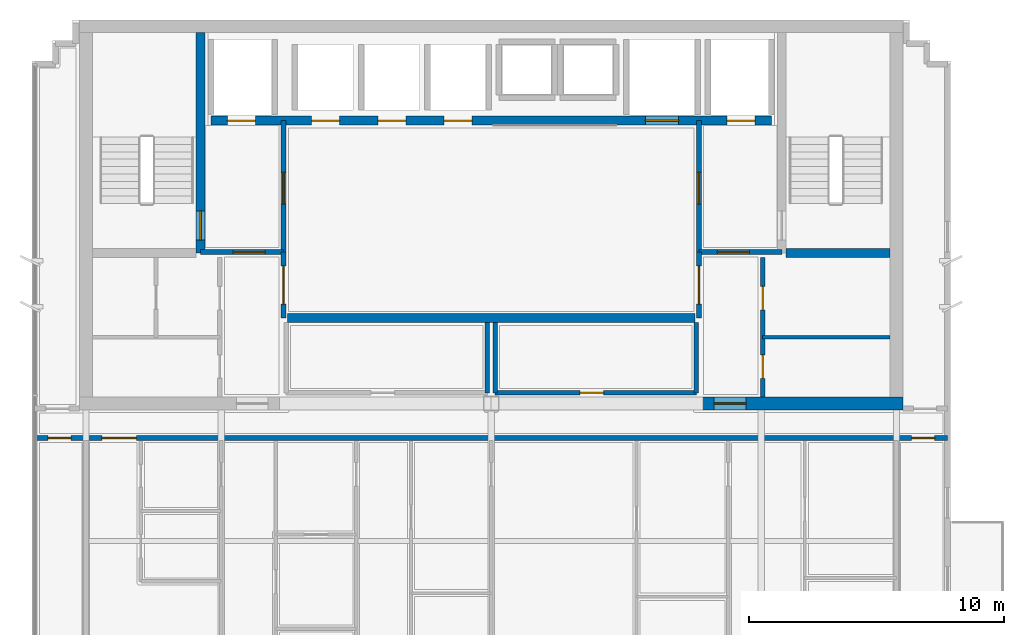
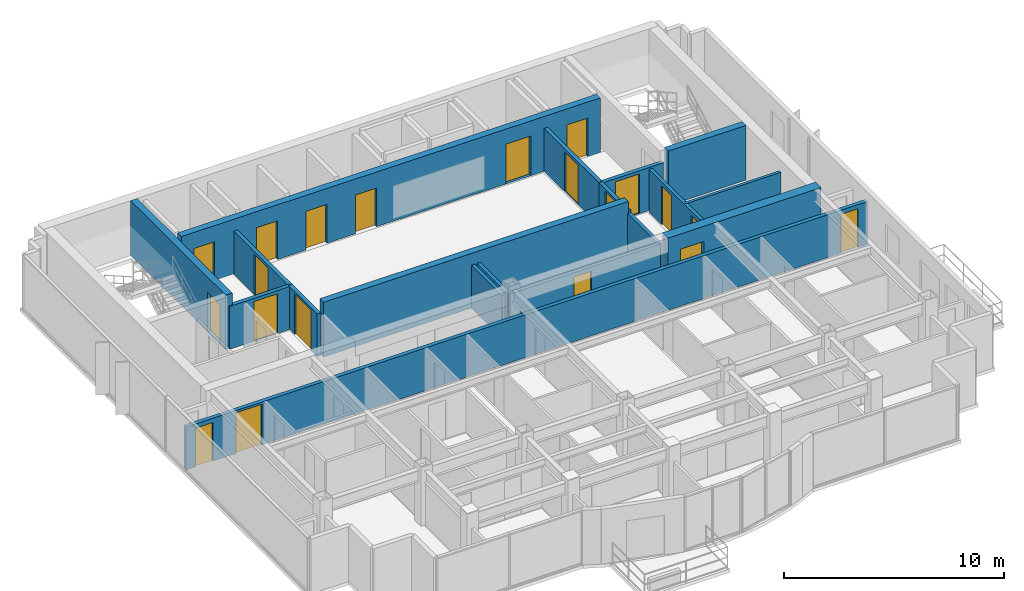
# One storey, part 7 of 11: 20 doors, 18 walls, 20 openings.
"""IFC4 building model written with IfcOpenShell, lengths in metres."""

from ifc_helpers import new_model, si_unit, direction, frame, frame_2d, origin, place, context, subcontext, project, spatial, rectangle, extrude, material, layer, layer_set, type_object, element, fill, save


model = new_model("IFC4")

# Units and contexts
model_context = context("Model", 3, precision=1e-05, world=origin(), true_north=direction((0.0, 1.0)))
body_context = subcontext(model_context, "Body", "Model", "MODEL_VIEW")
ifc_project = project(units=[si_unit("LENGTHUNIT", "METRE"), si_unit("AREAUNIT", "SQUARE_METRE"), si_unit("VOLUMEUNIT", "CUBIC_METRE"), si_unit("PLANEANGLEUNIT", "RADIAN"), si_unit("MASSUNIT", "GRAM", prefix="KILO")], contexts=[model_context])

# Site, building, storey
site_placement = place(None, origin())
site = spatial("IfcSite", under=ifc_project, at=site_placement, CompositionType="ELEMENT")
building_placement = place(site_placement, origin())
building = spatial("IfcBuilding", under=site, at=building_placement, Name="Qianlan Lanfeng Residences", CompositionType="ELEMENT")
storey_placement = place(building_placement, frame((0.0, 0.0, 262.699951171875)))
storey = spatial("IfcBuildingStorey", under=building, at=storey_placement, Name="L73", CompositionType="ELEMENT", Elevation=262.699951171875)

# Wall, opening, door
ifc_material_1 = material(Name="Concrete C49", Category="concrete")
ifc_layer_1 = layer(ifc_material_1, 0.35009765625)
ifc_layer_set_1 = layer_set([ifc_layer_1], Name="Concrete C49")
wall_type_1 = type_object("IfcWallType", Name="CW-RC-350", PredefinedType="SHEAR", material=ifc_layer_set_1)
wall_1_placement = place(storey_placement, frame((15.10009765625, 31.10009765625, 0.0), z_axis=(0.0, 0.0, 1.0), x_axis=(0.0, 1.0, 0.0)))
wall_1 = element("IfcWall", 1, at=wall_1_placement, inside=storey, type_object=wall_type_1, Name="L73 Core Shear Wall ST1E", PredefinedType="SHEAR", context=body_context, shape_type="SweptSolid", body=[
    extrude(rectangle(XDim=8.64990234375, YDim=0.35009765625, at=frame_2d((4.324951171875, 0.0))), origin(), (0.0, 0.0, 1.0), 3.0400390625),
])
opening_1_placement = place(wall_1_placement, frame((0.510009765625, 0.0, 0.0)))
opening_1 = element("IfcOpeningElement", 2, at=opening_1_placement, cuts=wall_1, Name="Opening L73-D07", PredefinedType="OPENING", context=body_context, shape_type="SweptSolid", body=[
    extrude(rectangle(XDim=1.14990234375, YDim=2.199951171875, at=frame_2d((0.574951171875, 1.10009765625))), frame((0.0, 0.18505859375, 0.0), z_axis=(0.0, -1.0, 0.0), x_axis=(1.0, 0.0, 0.0)), (0.0, 0.0, 1.0), 0.3701171875),
])
ifc_material_2 = material(Name="Painted Galvanised Steel Fire Door", Category="steel")
door_type_1 = type_object("IfcDoorType", Name="DT-ST1", OperationType="NOTDEFINED", PredefinedType="DOOR", material=ifc_material_2)
door_1_placement = place(opening_1_placement, frame((1.14990234375, 0.0, 0.0), z_axis=(0.0, 0.0, 1.0), x_axis=(-1.0, 0.0, 0.0)))
door_1 = element("IfcDoor", 3, at=door_1_placement, inside=storey, type_object=door_type_1, Name="L73 Exit Stair ST-1 Door L73-D07 (DT-ST1)", OperationType="SINGLE_SWING_RIGHT", OverallHeight=2.199951171875, OverallWidth=1.14990234375, PredefinedType="DOOR", context=body_context, shape_type="SweptSolid", body=[
    extrude(rectangle(XDim=1.14990234375, YDim=2.199951171875, at=frame_2d((0.574951171875, 1.10009765625))), frame((0.0, 0.02490234375, 0.0), z_axis=(0.0, -1.0, 0.0), x_axis=(1.0, 0.0, 0.0)), (0.0, 0.0, 1.0), 0.050048828125),
])
fill(opening_1, door_1)

# Wall
wall_2_placement = place(storey_placement, frame((38.074951171875, 31.10009765625, 0.0), z_axis=(0.0, 0.0, 1.0), x_axis=(1.0, 0.0, 0.0)))
element("IfcWall", 4, at=wall_2_placement, inside=storey, type_object=wall_type_1, Name="L73 Core Shear Wall ST2S", PredefinedType="SHEAR", context=body_context, shape_type="SweptSolid", body=[
    extrude(rectangle(XDim=4.074951171875, YDim=0.35009765625, at=frame_2d((2.03759765625, 0.0))), origin(), (0.0, 0.0, 1.0), 3.0400390625),
])

# Wall, openings, doors
wall_3_placement = place(storey_placement, frame((15.5, 36.300048828125, 0.0), z_axis=(0.0, 0.0, 1.0), x_axis=(1.0, 0.0, 0.0)))
wall_3 = element("IfcWall", 5, at=wall_3_placement, inside=storey, type_object=wall_type_1, Name="L73 Core Shear Wall LBN", PredefinedType="SHEAR", context=body_context, shape_type="SweptSolid", body=[
    extrude(rectangle(XDim=22.0, YDim=0.35009765625, at=frame_2d((11.0, 0.0))), origin(), (0.0, 0.0, 1.0), 3.0400390625),
])
opening_2_placement = place(wall_3_placement, frame((0.64990234375, 0.0, 0.0)))
opening_2 = element("IfcOpeningElement", 6, at=opening_2_placement, cuts=wall_3, Name="Opening L73-LD-FFL-1", PredefinedType="OPENING", context=body_context, shape_type="SweptSolid", body=[
    extrude(rectangle(XDim=1.10009765625, YDim=2.14990234375, at=frame_2d((0.550048828125, 1.074951171875))), frame((0.0, 0.18505859375, 0.0), z_axis=(0.0, -1.0, 0.0), x_axis=(1.0, 0.0, 0.0)), (0.0, 0.0, 1.0), 0.3701171875),
])
opening_3_placement = place(wall_3_placement, frame((20.25, 0.0, 0.0)))
opening_3 = element("IfcOpeningElement", 7, at=opening_3_placement, cuts=wall_3, Name="Opening L73-LD-FFL-2", PredefinedType="OPENING", context=body_context, shape_type="SweptSolid", body=[
    extrude(rectangle(XDim=1.10009765625, YDim=2.14990234375, at=frame_2d((0.550048828125, 1.074951171875))), frame((0.0, 0.18505859375, 0.0), z_axis=(0.0, -1.0, 0.0), x_axis=(1.0, 0.0, 0.0)), (0.0, 0.0, 1.0), 0.3701171875),
])
opening_4_placement = place(wall_3_placement, frame((17.050048828125, 0.0, 0.0)))
opening_4 = element("IfcOpeningElement", 8, at=opening_4_placement, cuts=wall_3, Name="Opening L73-LD-SVL-1", PredefinedType="OPENING", context=body_context, shape_type="SweptSolid", body=[
    extrude(rectangle(XDim=1.300048828125, YDim=2.199951171875, at=frame_2d((0.64990234375, 1.10009765625))), frame((0.0, 0.18505859375, 0.0), z_axis=(0.0, -1.0, 0.0), x_axis=(1.0, 0.0, 0.0)), (0.0, 0.0, 1.0), 0.3701171875),
])
opening_5_placement = place(wall_3_placement, frame((3.949951171875, 0.0, 0.0)))
opening_5 = element("IfcOpeningElement", 9, at=opening_5_placement, cuts=wall_3, Name="Opening L73-LD-PL-H1", PredefinedType="OPENING", context=body_context, shape_type="SweptSolid", body=[
    extrude(rectangle(XDim=1.10009765625, YDim=2.14990234375, at=frame_2d((0.550048828125, 1.074951171875))), frame((0.0, 0.18505859375, 0.0), z_axis=(0.0, -1.0, 0.0), x_axis=(1.0, 0.0, 0.0)), (0.0, 0.0, 1.0), 0.3701171875),
])
opening_6_placement = place(wall_3_placement, frame((6.550048828125, 0.0, 0.0)))
opening_6 = element("IfcOpeningElement", 10, at=opening_6_placement, cuts=wall_3, Name="Opening L73-LD-PL-H2", PredefinedType="OPENING", context=body_context, shape_type="SweptSolid", body=[
    extrude(rectangle(XDim=1.10009765625, YDim=2.14990234375, at=frame_2d((0.550048828125, 1.074951171875))), frame((0.0, 0.18505859375, 0.0), z_axis=(0.0, -1.0, 0.0), x_axis=(1.0, 0.0, 0.0)), (0.0, 0.0, 1.0), 0.3701171875),
])
opening_7_placement = place(wall_3_placement, frame((9.14990234375, 0.0, 0.0)))
opening_7 = element("IfcOpeningElement", 11, at=opening_7_placement, cuts=wall_3, Name="Opening L73-LD-PL-H3", PredefinedType="OPENING", context=body_context, shape_type="SweptSolid", body=[
    extrude(rectangle(XDim=1.10009765625, YDim=2.14990234375, at=frame_2d((0.550048828125, 1.074951171875))), frame((0.0, 0.18505859375, 0.0), z_axis=(0.0, -1.0, 0.0), x_axis=(1.0, 0.0, 0.0)), (0.0, 0.0, 1.0), 0.3701171875),
])
ifc_material_3 = material(Name="Brushed Stainless Steel Sliding Lift Door", Category="steel")
door_type_2 = type_object("IfcDoorType", Name="LD-01", OperationType="NOTDEFINED", PredefinedType="DOOR", material=ifc_material_3)
door_2_placement = place(opening_2_placement, frame((1.10009765625, 0.0, 0.0), z_axis=(0.0, 0.0, 1.0), x_axis=(-1.0, 0.0, 0.0)))
door_2 = element("IfcDoor", 12, at=door_2_placement, inside=storey, type_object=door_type_2, Name="L73 Elevator FFL-1 Sliding Landing Door", OperationType="DOUBLE_DOOR_SLIDING", OverallHeight=2.14990234375, OverallWidth=1.10009765625, PredefinedType="DOOR", context=body_context, shape_type="SweptSolid", body=[
    extrude(rectangle(XDim=1.10009765625, YDim=2.14990234375, at=frame_2d((0.550048828125, 1.074951171875))), frame((0.0, 0.02490234375, 0.0), z_axis=(0.0, -1.0, 0.0), x_axis=(1.0, 0.0, 0.0)), (0.0, 0.0, 1.0), 0.050048828125),
])
fill(opening_2, door_2)
door_3_placement = place(opening_3_placement, frame((1.10009765625, 0.0, 0.0), z_axis=(0.0, 0.0, 1.0), x_axis=(-1.0, 0.0, 0.0)))
door_3 = element("IfcDoor", 13, at=door_3_placement, inside=storey, type_object=door_type_2, Name="L73 Elevator FFL-2 Sliding Landing Door", OperationType="DOUBLE_DOOR_SLIDING", OverallHeight=2.14990234375, OverallWidth=1.10009765625, PredefinedType="DOOR", context=body_context, shape_type="SweptSolid", body=[
    extrude(rectangle(XDim=1.10009765625, YDim=2.14990234375, at=frame_2d((0.550048828125, 1.074951171875))), frame((0.0, 0.02490234375, 0.0), z_axis=(0.0, -1.0, 0.0), x_axis=(1.0, 0.0, 0.0)), (0.0, 0.0, 1.0), 0.050048828125),
])
fill(opening_3, door_3)
door_4_placement = place(opening_5_placement, frame((1.10009765625, 0.0, 0.0), z_axis=(0.0, 0.0, 1.0), x_axis=(-1.0, 0.0, 0.0)))
door_4 = element("IfcDoor", 14, at=door_4_placement, inside=storey, type_object=door_type_2, Name="L73 Elevator PL-H1 Sliding Landing Door", OperationType="DOUBLE_DOOR_SLIDING", OverallHeight=2.14990234375, OverallWidth=1.10009765625, PredefinedType="DOOR", context=body_context, shape_type="SweptSolid", body=[
    extrude(rectangle(XDim=1.10009765625, YDim=2.14990234375, at=frame_2d((0.550048828125, 1.074951171875))), frame((0.0, 0.02490234375, 0.0), z_axis=(0.0, -1.0, 0.0), x_axis=(1.0, 0.0, 0.0)), (0.0, 0.0, 1.0), 0.050048828125),
])
fill(opening_5, door_4)
door_5_placement = place(opening_6_placement, frame((1.10009765625, 0.0, 0.0), z_axis=(0.0, 0.0, 1.0), x_axis=(-1.0, 0.0, 0.0)))
door_5 = element("IfcDoor", 15, at=door_5_placement, inside=storey, type_object=door_type_2, Name="L73 Elevator PL-H2 Sliding Landing Door", OperationType="DOUBLE_DOOR_SLIDING", OverallHeight=2.14990234375, OverallWidth=1.10009765625, PredefinedType="DOOR", context=body_context, shape_type="SweptSolid", body=[
    extrude(rectangle(XDim=1.10009765625, YDim=2.14990234375, at=frame_2d((0.550048828125, 1.074951171875))), frame((0.0, 0.02490234375, 0.0), z_axis=(0.0, -1.0, 0.0), x_axis=(1.0, 0.0, 0.0)), (0.0, 0.0, 1.0), 0.050048828125),
])
fill(opening_6, door_5)
door_6_placement = place(opening_7_placement, frame((1.10009765625, 0.0, 0.0), z_axis=(0.0, 0.0, 1.0), x_axis=(-1.0, 0.0, 0.0)))
door_6 = element("IfcDoor", 16, at=door_6_placement, inside=storey, type_object=door_type_2, Name="L73 Elevator PL-H3 Sliding Landing Door", OperationType="DOUBLE_DOOR_SLIDING", OverallHeight=2.14990234375, OverallWidth=1.10009765625, PredefinedType="DOOR", context=body_context, shape_type="SweptSolid", body=[
    extrude(rectangle(XDim=1.10009765625, YDim=2.14990234375, at=frame_2d((0.550048828125, 1.074951171875))), frame((0.0, 0.02490234375, 0.0), z_axis=(0.0, -1.0, 0.0), x_axis=(1.0, 0.0, 0.0)), (0.0, 0.0, 1.0), 0.050048828125),
])
fill(opening_7, door_6)
door_type_3 = type_object("IfcDoorType", Name="LD-02", OperationType="NOTDEFINED", PredefinedType="DOOR", material=ifc_material_3)
door_7_placement = place(opening_4_placement, frame((1.300048828125, 0.0, 0.0), z_axis=(0.0, 0.0, 1.0), x_axis=(-1.0, 0.0, 0.0)))
door_7 = element("IfcDoor", 17, at=door_7_placement, inside=storey, type_object=door_type_3, Name="L73 Elevator SVL-1 Sliding Landing Door", OperationType="DOUBLE_DOOR_SLIDING", OverallHeight=2.199951171875, OverallWidth=1.300048828125, PredefinedType="DOOR", context=body_context, shape_type="SweptSolid", body=[
    extrude(rectangle(XDim=1.300048828125, YDim=2.199951171875, at=frame_2d((0.64990234375, 1.10009765625))), frame((0.0, 0.02490234375, 0.0), z_axis=(0.0, -1.0, 0.0), x_axis=(1.0, 0.0, 0.0)), (0.0, 0.0, 1.0), 0.050048828125),
])
fill(opening_4, door_7)

# Wall
wall_4_placement = place(storey_placement, frame((18.5, 28.550048828125, 0.0), z_axis=(0.0, 0.0, 1.0), x_axis=(1.0, 0.0, 0.0)))
element("IfcWall", 18, at=wall_4_placement, inside=storey, type_object=wall_type_1, Name="L73 Core Shear Wall LBS", PredefinedType="SHEAR", context=body_context, shape_type="SweptSolid", body=[
    extrude(rectangle(XDim=16.0, YDim=0.35009765625, at=frame_2d((8.0, 0.0))), origin(), (0.0, 0.0, 1.0), 3.0400390625),
])

# Wall, opening, door
ifc_material_4 = material(Name="Concrete C70", Category="concrete")
ifc_layer_2 = layer(ifc_material_4, 0.5)
ifc_layer_set_2 = layer_set([ifc_layer_2], Name="Concrete C70")
wall_type_2 = type_object("IfcWallType", Name="CW-RC-500", PredefinedType="SHEAR", material=ifc_layer_set_2)
wall_5_placement = place(storey_placement, frame((34.60009765625, 25.199951171875, 0.0), z_axis=(0.0, 0.0, 1.0), x_axis=(1.0, 0.0, 0.0)))
wall_5 = element("IfcWall", 19, at=wall_5_placement, inside=storey, type_object=wall_type_2, Name="L73 Core Shear Wall SE", PredefinedType="SHEAR", context=body_context, shape_type="SweptSolid", body=[
    extrude(rectangle(XDim=8.0498046875, YDim=0.5, at=frame_2d((4.02490234375, 0.0))), origin(), (0.0, 0.0, 1.0), 3.0400390625),
])
opening_8_placement = place(wall_5_placement, frame((0.64990234375, 0.0, 0.0)))
opening_8 = element("IfcOpeningElement", 20, at=opening_8_placement, cuts=wall_5, Name="Opening L73-D02", PredefinedType="OPENING", context=body_context, shape_type="SweptSolid", body=[
    extrude(rectangle(XDim=1.25, YDim=2.199951171875, at=frame_2d((0.625, 1.10009765625))), frame((0.0, 0.260009765625, 0.0), z_axis=(0.0, -1.0, 0.0), x_axis=(1.0, 0.0, 0.0)), (0.0, 0.0, 1.0), 0.52001953125),
])
door_type_4 = type_object("IfcDoorType", Name="DT-FFL", OperationType="NOTDEFINED", PredefinedType="DOOR", material=ifc_material_2)
door_8_placement = place(opening_8_placement, frame((1.25, 0.0, 0.0), z_axis=(0.0, 0.0, 1.0), x_axis=(-1.0, 0.0, 0.0)))
door_8 = element("IfcDoor", 21, at=door_8_placement, inside=storey, type_object=door_type_4, Name="L73 East Core Lobby Smoke Door L73-D02 (DT-FFL)", OperationType="SINGLE_SWING_LEFT", OverallHeight=2.199951171875, OverallWidth=1.25, PredefinedType="DOOR", context=body_context, shape_type="SweptSolid", body=[
    extrude(rectangle(XDim=1.25, YDim=2.199951171875, at=frame_2d((0.625, 1.10009765625))), frame((0.0, 0.02490234375, 0.0), z_axis=(0.0, -1.0, 0.0), x_axis=(1.0, 0.0, 0.0)), (0.0, 0.0, 1.0), 0.050048828125),
])
fill(opening_8, door_8)

# Wall
ifc_material_5 = material(Name="Acoustic Drywall Partition 150 mm")
ifc_layer_3 = layer(ifc_material_5, 0.14990234375)
ifc_layer_set_3 = layer_set([ifc_layer_3], Name="Acoustic Drywall Partition 150 mm")
wall_type_3 = type_object("IfcWallType", Name="PW-150", PredefinedType="PARTITIONING", material=ifc_layer_set_3)
wall_6_placement = place(storey_placement, frame((37.14990234375, 27.800048828125, 0.0), z_axis=(0.0, 0.0, 1.0), x_axis=(1.0, 0.0, 0.0)))
element("IfcWall", 22, at=wall_6_placement, inside=storey, type_object=wall_type_3, Name="L73 Core East H4", PredefinedType="PARTITIONING", context=body_context, shape_type="SweptSolid", body=[
    extrude(rectangle(XDim=5.0, YDim=0.14990234375, at=frame_2d((2.5, 0.0))), origin(), (0.0, 0.0, 1.0), 2.380126953125),
])

# Wall, openings, doors
ifc_material_6 = material(Name="Double-Layer Acoustic Gypsum Stud Wall 180 mm")
ifc_layer_4 = layer(ifc_material_6, 0.179931640625)
ifc_layer_set_4 = layer_set([ifc_layer_4], Name="Double-Layer Acoustic Gypsum Stud Wall 180 mm")
wall_type_4 = type_object("IfcWallType", Name="PW-180", PredefinedType="PARTITIONING", material=ifc_layer_set_4)
wall_7_placement = place(storey_placement, frame((37.14990234375, 25.449951171875, 0.0), z_axis=(0.0, 0.0, 1.0), x_axis=(0.0, 1.0, 0.0)))
wall_7 = element("IfcWall", 23, at=wall_7_placement, inside=storey, type_object=wall_type_4, Name="L73 Core East Service Room Wall", PredefinedType="PARTITIONING", context=body_context, shape_type="SweptSolid", body=[
    extrude(rectangle(XDim=5.47509765625, YDim=0.179931640625, at=frame_2d((2.737548828125, 0.0))), origin(), (0.0, 0.0, 1.0), 2.380126953125),
])
opening_9_placement = place(wall_7_placement, frame((0.739990234375, 0.0, 0.0)))
opening_9 = element("IfcOpeningElement", 24, at=opening_9_placement, cuts=wall_7, Name="Opening L73-D12", PredefinedType="OPENING", context=body_context, shape_type="SweptSolid", body=[
    extrude(rectangle(XDim=0.919921875, YDim=2.14990234375, at=frame_2d((0.4599609375, 1.074951171875))), frame((0.0, 0.10009765625, 0.0), z_axis=(0.0, -1.0, 0.0), x_axis=(1.0, 0.0, 0.0)), (0.0, 0.0, 1.0), 0.199951171875),
])
opening_10_placement = place(wall_7_placement, frame((3.427001953125, 0.0, 0.0)))
opening_10 = element("IfcOpeningElement", 25, at=opening_10_placement, cuts=wall_7, Name="Opening L73-D13", PredefinedType="OPENING", context=body_context, shape_type="SweptSolid", body=[
    extrude(rectangle(XDim=0.919921875, YDim=2.14990234375, at=frame_2d((0.4599609375, 1.074951171875))), frame((0.0, 0.10009765625, 0.0), z_axis=(0.0, -1.0, 0.0), x_axis=(1.0, 0.0, 0.0)), (0.0, 0.0, 1.0), 0.199951171875),
])
ifc_material_7 = material(Name="Glazed Timber Kitchen/Study Door", Category="wood")
door_type_5 = type_object("IfcDoorType", Name="DT-INT", OperationType="NOTDEFINED", PredefinedType="DOOR", material=ifc_material_7)
door_9_placement = place(opening_9_placement, origin())
door_9 = element("IfcDoor", 26, at=door_9_placement, inside=storey, type_object=door_type_5, Name="L73 Mail Closet Door L73-D12 (DT-INT)", OperationType="SINGLE_SWING_LEFT", OverallHeight=2.14990234375, OverallWidth=0.919921875, PredefinedType="DOOR", context=body_context, shape_type="SweptSolid", body=[
    extrude(rectangle(XDim=0.919921875, YDim=2.14990234375, at=frame_2d((0.4599609375, 1.074951171875))), frame((0.0, 0.02490234375, 0.0), z_axis=(0.0, -1.0, 0.0), x_axis=(1.0, 0.0, 0.0)), (0.0, 0.0, 1.0), 0.050048828125),
])
fill(opening_9, door_9)
door_10_placement = place(opening_10_placement, origin())
door_10 = element("IfcDoor", 27, at=door_10_placement, inside=storey, type_object=door_type_5, Name="L73 Refuse Closet Door L73-D13 (DT-INT)", OperationType="SINGLE_SWING_LEFT", OverallHeight=2.14990234375, OverallWidth=0.919921875, PredefinedType="DOOR", context=body_context, shape_type="SweptSolid", body=[
    extrude(rectangle(XDim=0.919921875, YDim=2.14990234375, at=frame_2d((0.4599609375, 1.074951171875))), frame((0.0, 0.02490234375, 0.0), z_axis=(0.0, -1.0, 0.0), x_axis=(1.0, 0.0, 0.0)), (0.0, 0.0, 1.0), 0.050048828125),
])
fill(opening_10, door_10)

# Walls
for number, where, z_axis, x_axis, name in (
    (28, (26.35009765625, 25.6201171875, 0.0), (0.0, 0.0, 1.0), (0.0, 1.0, 0.0), "L73 Reclaimed Low-Bank Room East Wall"),
    (29, (26.64990234375, 25.6201171875, 0.0), (0.0, 0.0, 1.0), (0.0, 1.0, 0.0), "L73 Reclaimed Mid-Bank Room West Wall"),
    (30, (34.550048828125, 25.6201171875, 0.0), (0.0, 0.0, 1.0), (0.0, 1.0, 0.0), "L73 Reclaimed Mid-Bank Room East Wall"),
):
    element("IfcWall", number, at=place(storey_placement, frame(where, z_axis=z_axis, x_axis=x_axis)), inside=storey, type_object=wall_type_4, Name=name, PredefinedType="PARTITIONING", context=body_context, shape_type="SweptSolid", body=[
        extrude(rectangle(XDim=2.7548828125, YDim=0.179931640625, at=frame_2d((1.37744140625, 0.0))), origin(), (0.0, 0.0, 1.0), 2.380126953125),
    ])

# Wall, opening, door
wall_8_placement = place(storey_placement, frame((26.64990234375, 25.6201171875, 0.0), z_axis=(0.0, 0.0, 1.0), x_axis=(1.0, 0.0, 0.0)))
wall_8 = element("IfcWall", 31, at=wall_8_placement, inside=storey, type_object=wall_type_4, Name="L73 Reclaimed Mid-Bank Room South Wall", PredefinedType="PARTITIONING", context=body_context, shape_type="SweptSolid", body=[
    extrude(rectangle(XDim=7.900146484375, YDim=0.179931640625, at=frame_2d((3.9501953125, 0.0))), origin(), (0.0, 0.0, 1.0), 2.380126953125),
])
opening_11_placement = place(wall_8_placement, frame((3.340087890625, 0.0, 0.0)))
opening_11 = element("IfcOpeningElement", 32, at=opening_11_placement, cuts=wall_8, Name="Opening L73-D17", PredefinedType="OPENING", context=body_context, shape_type="SweptSolid", body=[
    extrude(rectangle(XDim=0.919921875, YDim=2.14990234375, at=frame_2d((0.4599609375, 1.074951171875))), frame((0.0, 0.10009765625, 0.0), z_axis=(0.0, -1.0, 0.0), x_axis=(1.0, 0.0, 0.0)), (0.0, 0.0, 1.0), 0.199951171875),
])
door_11_placement = place(opening_11_placement, origin())
door_11 = element("IfcDoor", 33, at=door_11_placement, inside=storey, type_object=door_type_5, Name="L73 Reclaimed Mid-Bank Salon Door L73-D17 (DT-INT)", OperationType="SINGLE_SWING_LEFT", OverallHeight=2.14990234375, OverallWidth=0.919921875, PredefinedType="DOOR", context=body_context, shape_type="SweptSolid", body=[
    extrude(rectangle(XDim=0.919921875, YDim=2.14990234375, at=frame_2d((0.4599609375, 1.074951171875))), frame((0.0, 0.02490234375, 0.0), z_axis=(0.0, -1.0, 0.0), x_axis=(1.0, 0.0, 0.0)), (0.0, 0.0, 1.0), 0.050048828125),
])
fill(opening_11, door_11)

ifc_material_8 = material(Name="Autoclaved Aerated Concrete Blockwork 200 mm", Category="masonry")
ifc_layer_5 = layer(ifc_material_8, 0.199951171875)
ifc_layer_set_5 = layer_set([ifc_layer_5], Name="Autoclaved Aerated Concrete Blockwork 200 mm")
wall_type_5 = type_object("IfcWallType", Name="PW-200", PredefinedType="PARTITIONING", material=ifc_layer_set_5)
wall_9_placement = place(storey_placement, frame((15.10009765625, 31.14990234375, 0.0), z_axis=(0.0, 0.0, 1.0), x_axis=(1.0, 0.0, 0.0)))
wall_9 = element("IfcWall", 34, at=wall_9_placement, inside=storey, type_object=wall_type_5, Name="L73 Firefighting Lobby 1 South Wall", PredefinedType="PARTITIONING", context=body_context, shape_type="SweptSolid", body=[
    extrude(rectangle(XDim=3.25, YDim=0.199951171875, at=frame_2d((1.625, 0.0))), origin(), (0.0, 0.0, 1.0), 2.380126953125),
])
opening_12_placement = place(wall_9_placement, frame((1.27490234375, 0.0, 0.0)))
opening_12 = element("IfcOpeningElement", 35, at=opening_12_placement, cuts=wall_9, Name="Opening L73-D03", PredefinedType="OPENING", context=body_context, shape_type="SweptSolid", body=[
    extrude(rectangle(XDim=1.25, YDim=2.199951171875, at=frame_2d((0.625, 1.10009765625))), frame((0.0, 0.10986328125, 0.0), z_axis=(0.0, -1.0, 0.0), x_axis=(1.0, 0.0, 0.0)), (0.0, 0.0, 1.0), 0.219970703125),
])
door_12_placement = place(opening_12_placement, origin())
door_12 = element("IfcDoor", 36, at=door_12_placement, inside=storey, type_object=door_type_4, Name="L73 Firefighting Lobby 1 Entry Door L73-D03 (DT-FFL)", OperationType="SINGLE_SWING_LEFT", OverallHeight=2.199951171875, OverallWidth=1.25, PredefinedType="DOOR", context=body_context, shape_type="SweptSolid", body=[
    extrude(rectangle(XDim=1.25, YDim=2.199951171875, at=frame_2d((0.625, 1.10009765625))), frame((0.0, 0.02490234375, 0.0), z_axis=(0.0, -1.0, 0.0), x_axis=(1.0, 0.0, 0.0)), (0.0, 0.0, 1.0), 0.050048828125),
])
fill(opening_12, door_12)

wall_10_placement = place(storey_placement, frame((18.35009765625, 31.14990234375, 0.0), z_axis=(0.0, 0.0, 1.0), x_axis=(0.0, 1.0, 0.0)))
wall_10 = element("IfcWall", 37, at=wall_10_placement, inside=storey, type_object=wall_type_5, Name="L73 Firefighting Lobby 1 East Wall", PredefinedType="PARTITIONING", context=body_context, shape_type="SweptSolid", body=[
    extrude(rectangle(XDim=5.150146484375, YDim=0.199951171875, at=frame_2d((2.5751953125, 0.0))), origin(), (0.0, 0.0, 1.0), 2.380126953125),
])
opening_13_placement = place(wall_10_placement, frame((1.875, 0.0, 0.0)))
opening_13 = element("IfcOpeningElement", 38, at=opening_13_placement, cuts=wall_10, Name="Opening L73-D04", PredefinedType="OPENING", context=body_context, shape_type="SweptSolid", body=[
    extrude(rectangle(XDim=1.25, YDim=2.199951171875, at=frame_2d((0.625, 1.10009765625))), frame((0.0, 0.10986328125, 0.0), z_axis=(0.0, -1.0, 0.0), x_axis=(1.0, 0.0, 0.0)), (0.0, 0.0, 1.0), 0.219970703125),
])
door_13_placement = place(opening_13_placement, origin())
door_13 = element("IfcDoor", 39, at=door_13_placement, inside=storey, type_object=door_type_4, Name="L73 Firefighting Lobby 1 Lift Lobby Door L73-D04 (DT-FFL)", OperationType="SINGLE_SWING_RIGHT", OverallHeight=2.199951171875, OverallWidth=1.25, PredefinedType="DOOR", context=body_context, shape_type="SweptSolid", body=[
    extrude(rectangle(XDim=1.25, YDim=2.199951171875, at=frame_2d((0.625, 1.10009765625))), frame((0.0, 0.02490234375, 0.0), z_axis=(0.0, -1.0, 0.0), x_axis=(1.0, 0.0, 0.0)), (0.0, 0.0, 1.0), 0.050048828125),
])
fill(opening_13, door_13)

wall_11_placement = place(storey_placement, frame((34.64990234375, 31.14990234375, 0.0), z_axis=(0.0, 0.0, 1.0), x_axis=(1.0, 0.0, 0.0)))
wall_11 = element("IfcWall", 40, at=wall_11_placement, inside=storey, type_object=wall_type_5, Name="L73 Firefighting Lobby 2 South Wall", PredefinedType="PARTITIONING", context=body_context, shape_type="SweptSolid", body=[
    extrude(rectangle(XDim=3.25, YDim=0.199951171875, at=frame_2d((1.625, 0.0))), origin(), (0.0, 0.0, 1.0), 2.380126953125),
])
opening_14_placement = place(wall_11_placement, frame((0.72509765625, 0.0, 0.0)))
opening_14 = element("IfcOpeningElement", 41, at=opening_14_placement, cuts=wall_11, Name="Opening L73-D05", PredefinedType="OPENING", context=body_context, shape_type="SweptSolid", body=[
    extrude(rectangle(XDim=1.25, YDim=2.199951171875, at=frame_2d((0.625, 1.10009765625))), frame((0.0, 0.10986328125, 0.0), z_axis=(0.0, -1.0, 0.0), x_axis=(1.0, 0.0, 0.0)), (0.0, 0.0, 1.0), 0.219970703125),
])
door_14_placement = place(opening_14_placement, origin())
door_14 = element("IfcDoor", 42, at=door_14_placement, inside=storey, type_object=door_type_4, Name="L73 Firefighting Lobby 2 Entry Door L73-D05 (DT-FFL)", OperationType="SINGLE_SWING_RIGHT", OverallHeight=2.199951171875, OverallWidth=1.25, PredefinedType="DOOR", context=body_context, shape_type="SweptSolid", body=[
    extrude(rectangle(XDim=1.25, YDim=2.199951171875, at=frame_2d((0.625, 1.10009765625))), frame((0.0, 0.02490234375, 0.0), z_axis=(0.0, -1.0, 0.0), x_axis=(1.0, 0.0, 0.0)), (0.0, 0.0, 1.0), 0.050048828125),
])
fill(opening_14, door_14)

wall_12_placement = place(storey_placement, frame((34.64990234375, 31.14990234375, 0.0), z_axis=(0.0, 0.0, 1.0), x_axis=(0.0, 1.0, 0.0)))
wall_12 = element("IfcWall", 43, at=wall_12_placement, inside=storey, type_object=wall_type_5, Name="L73 Firefighting Lobby 2 West Wall", PredefinedType="PARTITIONING", context=body_context, shape_type="SweptSolid", body=[
    extrude(rectangle(XDim=5.150146484375, YDim=0.199951171875, at=frame_2d((2.5751953125, 0.0))), origin(), (0.0, 0.0, 1.0), 2.380126953125),
])
opening_15_placement = place(wall_12_placement, frame((1.875, 0.0, 0.0)))
opening_15 = element("IfcOpeningElement", 44, at=opening_15_placement, cuts=wall_12, Name="Opening L73-D06", PredefinedType="OPENING", context=body_context, shape_type="SweptSolid", body=[
    extrude(rectangle(XDim=1.25, YDim=2.199951171875, at=frame_2d((0.625, 1.10009765625))), frame((0.0, 0.10986328125, 0.0), z_axis=(0.0, -1.0, 0.0), x_axis=(1.0, 0.0, 0.0)), (0.0, 0.0, 1.0), 0.219970703125),
])
door_15_placement = place(opening_15_placement, origin())
door_15 = element("IfcDoor", 45, at=door_15_placement, inside=storey, type_object=door_type_4, Name="L73 Firefighting Lobby 2 Lift Lobby Door L73-D06 (DT-FFL)", OperationType="SINGLE_SWING_RIGHT", OverallHeight=2.199951171875, OverallWidth=1.25, PredefinedType="DOOR", context=body_context, shape_type="SweptSolid", body=[
    extrude(rectangle(XDim=1.25, YDim=2.199951171875, at=frame_2d((0.625, 1.10009765625))), frame((0.0, 0.02490234375, 0.0), z_axis=(0.0, -1.0, 0.0), x_axis=(1.0, 0.0, 0.0)), (0.0, 0.0, 1.0), 0.050048828125),
])
fill(opening_15, door_15)

wall_13_placement = place(storey_placement, frame((18.35009765625, 28.550048828125, 0.0), z_axis=(0.0, 0.0, 1.0), x_axis=(0.0, 1.0, 0.0)))
wall_13 = element("IfcWall", 46, at=wall_13_placement, inside=storey, type_object=wall_type_5, Name="L73 Lift Lobby West Connector Wall", PredefinedType="PARTITIONING", context=body_context, shape_type="SweptSolid", body=[
    extrude(rectangle(XDim=2.599853515625, YDim=0.199951171875, at=frame_2d((1.2998046875, 0.0))), origin(), (0.0, 0.0, 1.0), 2.380126953125),
])
opening_16_placement = place(wall_13_placement, frame((0.550048828125, 0.0, 0.0)))
opening_16 = element("IfcOpeningElement", 47, at=opening_16_placement, cuts=wall_13, Name="Opening L73-D14", PredefinedType="OPENING", context=body_context, shape_type="SweptSolid", body=[
    extrude(rectangle(XDim=1.5, YDim=2.25, at=frame_2d((0.75, 1.125))), frame((0.0, 0.10986328125, 0.0), z_axis=(0.0, -1.0, 0.0), x_axis=(1.0, 0.0, 0.0)), (0.0, 0.0, 1.0), 0.219970703125),
])
ifc_material_9 = material(Name="Timber Veneer Acoustic Fire Door", Category="wood")
door_type_6 = type_object("IfcDoorType", Name="DT-COR1", OperationType="NOTDEFINED", PredefinedType="DOOR", material=ifc_material_9)
door_16_placement = place(opening_16_placement, origin())
door_16 = element("IfcDoor", 48, at=door_16_placement, inside=storey, type_object=door_type_6, Name="L73 Lift Lobby West Portal Door L73-D14 (DT-COR1)", OperationType="DOUBLE_DOOR_SINGLE_SWING", OverallHeight=2.25, OverallWidth=1.5, PredefinedType="DOOR", context=body_context, shape_type="SweptSolid", body=[
    extrude(rectangle(XDim=1.5, YDim=2.25, at=frame_2d((0.75, 1.125))), frame((0.0, 0.02490234375, 0.0), z_axis=(0.0, -1.0, 0.0), x_axis=(1.0, 0.0, 0.0)), (0.0, 0.0, 1.0), 0.050048828125),
])
fill(opening_16, door_16)

wall_14_placement = place(storey_placement, frame((34.64990234375, 28.550048828125, 0.0), z_axis=(0.0, 0.0, 1.0), x_axis=(0.0, 1.0, 0.0)))
wall_14 = element("IfcWall", 49, at=wall_14_placement, inside=storey, type_object=wall_type_5, Name="L73 Lift Lobby East Connector Wall", PredefinedType="PARTITIONING", context=body_context, shape_type="SweptSolid", body=[
    extrude(rectangle(XDim=2.599853515625, YDim=0.199951171875, at=frame_2d((1.2998046875, 0.0))), origin(), (0.0, 0.0, 1.0), 2.380126953125),
])
opening_17_placement = place(wall_14_placement, frame((0.550048828125, 0.0, 0.0)))
opening_17 = element("IfcOpeningElement", 50, at=opening_17_placement, cuts=wall_14, Name="Opening L73-D15", PredefinedType="OPENING", context=body_context, shape_type="SweptSolid", body=[
    extrude(rectangle(XDim=1.5, YDim=2.25, at=frame_2d((0.75, 1.125))), frame((0.0, 0.10986328125, 0.0), z_axis=(0.0, -1.0, 0.0), x_axis=(1.0, 0.0, 0.0)), (0.0, 0.0, 1.0), 0.219970703125),
])
door_17_placement = place(opening_17_placement, frame((1.5, 0.0, 0.0), z_axis=(0.0, 0.0, 1.0), x_axis=(-1.0, 0.0, 0.0)))
door_17 = element("IfcDoor", 51, at=door_17_placement, inside=storey, type_object=door_type_6, Name="L73 Lift Lobby East Portal Door L73-D15 (DT-COR1)", OperationType="DOUBLE_DOOR_SINGLE_SWING", OverallHeight=2.25, OverallWidth=1.5, PredefinedType="DOOR", context=body_context, shape_type="SweptSolid", body=[
    extrude(rectangle(XDim=1.5, YDim=2.25, at=frame_2d((0.75, 1.125))), frame((0.0, 0.02490234375, 0.0), z_axis=(0.0, -1.0, 0.0), x_axis=(1.0, 0.0, 0.0)), (0.0, 0.0, 1.0), 0.050048828125),
])
fill(opening_17, door_17)

# Wall, openings, doors
wall_15_placement = place(storey_placement, frame((8.60009765625, 23.85009765625, 0.0), z_axis=(0.0, 0.0, 1.0), x_axis=(1.0, 0.0, 0.0)))
wall_15 = element("IfcWall", 52, at=wall_15_placement, inside=storey, type_object=wall_type_5, Name="L73 Residential Corridor South Fire Wall", PredefinedType="PARTITIONING", context=body_context, shape_type="SweptSolid", body=[
    extrude(rectangle(XDim=35.7998046875, YDim=0.199951171875, at=frame_2d((17.89990234375, 0.0))), origin(), (0.0, 0.0, 1.0), 2.380126953125),
])
opening_18_placement = place(wall_15_placement, frame((2.625, 0.0, 0.0)))
opening_18 = element("IfcOpeningElement", 53, at=opening_18_placement, cuts=wall_15, Name="Opening L73-D18", PredefinedType="OPENING", context=body_context, shape_type="SweptSolid", body=[
    extrude(rectangle(XDim=1.35009765625, YDim=2.260009765625, at=frame_2d((0.675048828125, 1.1298828125))), frame((0.0, 0.10986328125, 0.0), z_axis=(0.0, -1.0, 0.0), x_axis=(1.0, 0.0, 0.0)), (0.0, 0.0, 1.0), 0.219970703125),
])
opening_19_placement = place(wall_15_placement, frame((0.5048828125, 0.0, 0.0)))
opening_19 = element("IfcOpeningElement", 54, at=opening_19_placement, cuts=wall_15, Name="Opening L73-D39", PredefinedType="OPENING", context=body_context, shape_type="SweptSolid", body=[
    extrude(rectangle(XDim=0.89990234375, YDim=2.14990234375, at=frame_2d((0.449951171875, 1.074951171875))), frame((0.0, 0.10986328125, 0.0), z_axis=(0.0, -1.0, 0.0), x_axis=(1.0, 0.0, 0.0)), (0.0, 0.0, 1.0), 0.219970703125),
])
opening_20_placement = place(wall_15_placement, frame((34.39501953125, 0.0, 0.0)))
opening_20 = element("IfcOpeningElement", 55, at=opening_20_placement, cuts=wall_15, Name="Opening L73-D41", PredefinedType="OPENING", context=body_context, shape_type="SweptSolid", body=[
    extrude(rectangle(XDim=0.89990234375, YDim=2.14990234375, at=frame_2d((0.449951171875, 1.074951171875))), frame((0.0, 0.10986328125, 0.0), z_axis=(0.0, -1.0, 0.0), x_axis=(1.0, 0.0, 0.0)), (0.0, 0.0, 1.0), 0.219970703125),
])
ifc_material_10 = material(Name="Solid-Core Walnut Double Entrance Door")
door_type_7 = type_object("IfcDoorType", Name="DT-PENT", OperationType="NOTDEFINED", PredefinedType="DOOR", material=ifc_material_10)
door_18_placement = place(opening_18_placement, origin())
door_18 = element("IfcDoor", 56, at=door_18_placement, inside=storey, type_object=door_type_7, Name="L73 Apartment U01 Entrance Door L73-D18 (DT-PENT)", OperationType="DOUBLE_DOOR_SINGLE_SWING", OverallHeight=2.260009765625, OverallWidth=1.35009765625, PredefinedType="DOOR", context=body_context, shape_type="SweptSolid", body=[
    extrude(rectangle(XDim=1.35009765625, YDim=2.260009765625, at=frame_2d((0.675048828125, 1.1298828125))), frame((0.0, 0.02490234375, 0.0), z_axis=(0.0, -1.0, 0.0), x_axis=(1.0, 0.0, 0.0)), (0.0, 0.0, 1.0), 0.050048828125),
])
fill(opening_18, door_18)
ifc_material_11 = material(Name="Moisture-Resistant Timber Leaf", Category="wood")
door_type_8 = type_object("IfcDoorType", Name="DT-WC", OperationType="NOTDEFINED", PredefinedType="DOOR", material=ifc_material_11)
door_19_placement = place(opening_19_placement, frame((0.89990234375, 0.0, 0.0), z_axis=(0.0, 0.0, 1.0), x_axis=(-1.0, 0.0, 0.0)))
door_19 = element("IfcDoor", 57, at=door_19_placement, inside=storey, type_object=door_type_8, Name="L73 SWP Corridor Door L73-D39 (DT-WC)", OperationType="SINGLE_SWING_LEFT", OverallHeight=2.14990234375, OverallWidth=0.89990234375, PredefinedType="DOOR", context=body_context, shape_type="SweptSolid", body=[
    extrude(rectangle(XDim=0.89990234375, YDim=2.14990234375, at=frame_2d((0.449951171875, 1.074951171875))), frame((0.0, 0.02490234375, 0.0), z_axis=(0.0, -1.0, 0.0), x_axis=(1.0, 0.0, 0.0)), (0.0, 0.0, 1.0), 0.050048828125),
])
fill(opening_19, door_19)
door_20_placement = place(opening_20_placement, origin())
door_20 = element("IfcDoor", 58, at=door_20_placement, inside=storey, type_object=door_type_8, Name="L73 SEP Corridor Door L73-D41 (DT-WC)", OperationType="SINGLE_SWING_LEFT", OverallHeight=2.14990234375, OverallWidth=0.89990234375, PredefinedType="DOOR", context=body_context, shape_type="SweptSolid", body=[
    extrude(rectangle(XDim=0.89990234375, YDim=2.14990234375, at=frame_2d((0.449951171875, 1.074951171875))), frame((0.0, 0.02490234375, 0.0), z_axis=(0.0, -1.0, 0.0), x_axis=(1.0, 0.0, 0.0)), (0.0, 0.0, 1.0), 0.050048828125),
])
fill(opening_20, door_20)

save(model, "model.ifc")
